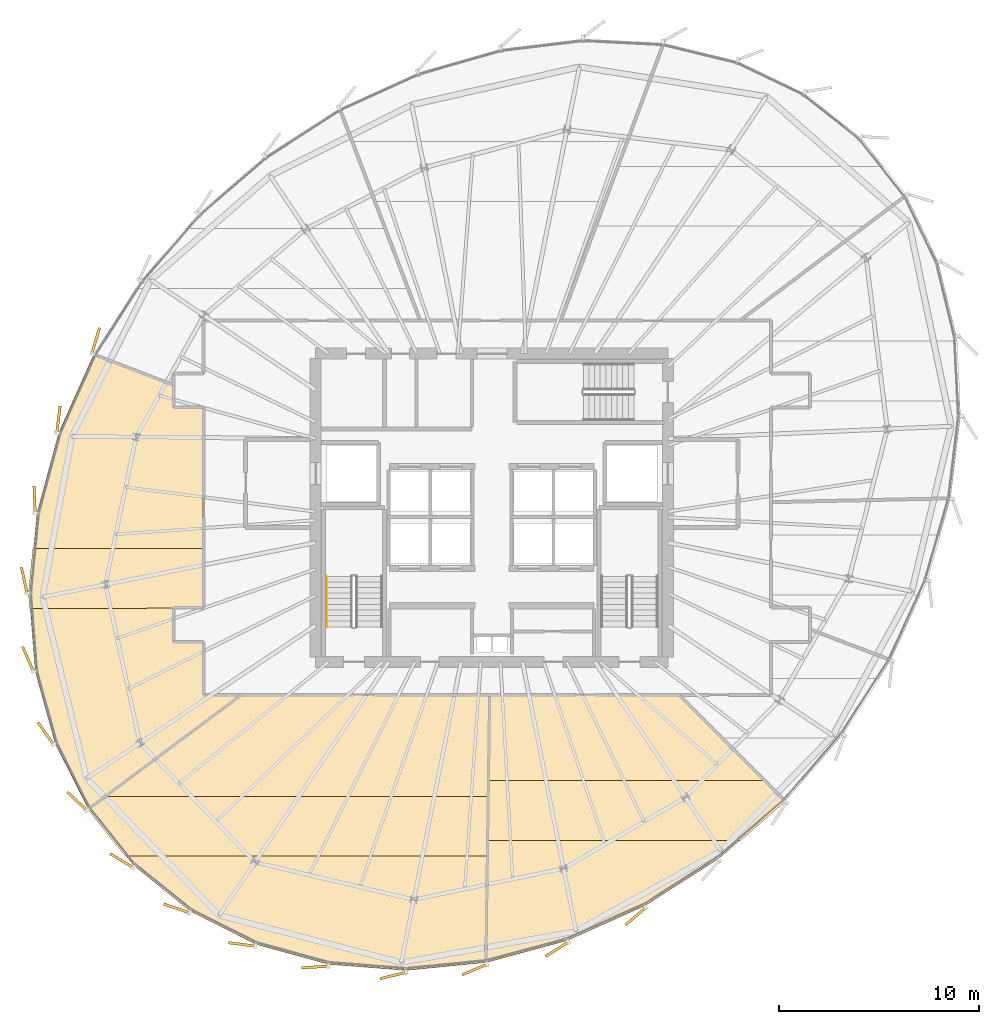
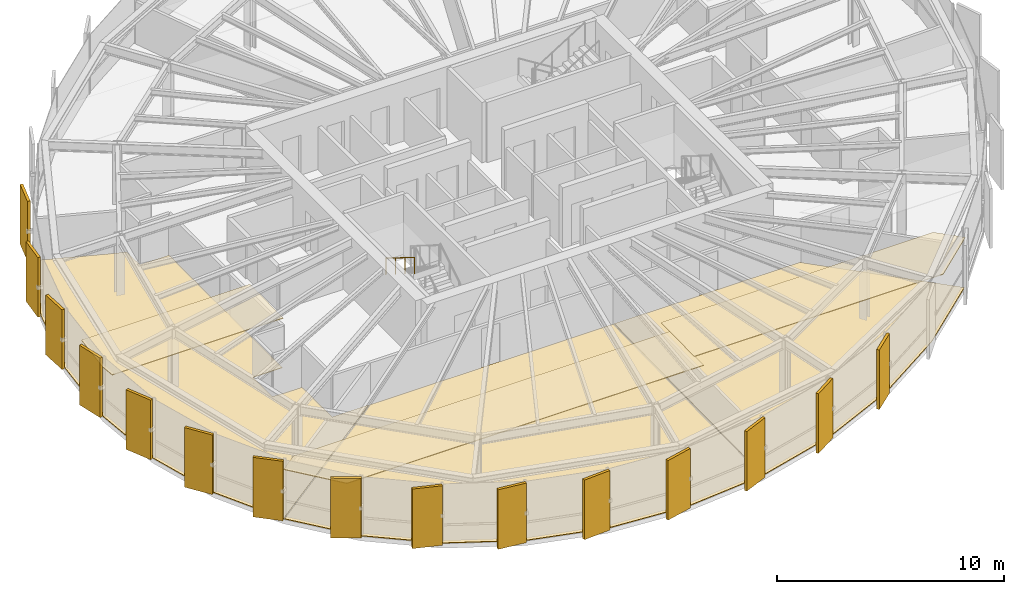
# One storey, part 32 of 34: 21 coverings, 1 railing.
"""IFC4 building model written with IfcOpenShell, lengths in metres."""

from ifc_helpers import new_model, si_unit, direction, frame, origin, origin_2d, place, context, subcontext, project, spatial, polyline, rectangle, circle, outline, extrude, source, transform, mapped, material, layer, layer_set, type_object, element, save


model = new_model("IFC4")

# Units and contexts
model_context = context("Model", 3, precision=1e-05, world=origin(), true_north=direction((0.0, 1.0)))
body_context = subcontext(model_context, "Body", "Model", "MODEL_VIEW")
ifc_project = project(units=[si_unit("LENGTHUNIT", "METRE"), si_unit("AREAUNIT", "SQUARE_METRE"), si_unit("VOLUMEUNIT", "CUBIC_METRE"), si_unit("PLANEANGLEUNIT", "RADIAN"), si_unit("MASSUNIT", "GRAM", prefix="KILO"), si_unit("THERMODYNAMICTEMPERATUREUNIT", "KELVIN")], contexts=[model_context])

# Site, building, storey
site_placement = place(None, origin())
site = spatial("IfcSite", under=ifc_project, at=site_placement, CompositionType="ELEMENT")
building_placement = place(site_placement, origin())
building = spatial("IfcBuilding", under=site, at=building_placement, Name="Kethvar Cultural Tower", CompositionType="ELEMENT")
storey_placement = place(building_placement, frame((0.0, 0.0, 214.89990234375)))
storey = spatial("IfcBuildingStorey", under=building, at=storey_placement, Name="L56", CompositionType="ELEMENT", Elevation=214.89990234375)

# Coverings
ifc_material_1 = material(Name="Acoustic Mineral Fibre Ceiling")
ifc_layer_1 = layer(ifc_material_1, 0.0400390625, Name="Acoustic Mineral Fibre Ceiling")
ifc_layer_set_1 = layer_set([ifc_layer_1], Name="Acoustic Mineral Fibre Ceiling (40 mm)")
covering_type_1 = type_object("IfcCoveringType", Name="CV-ACOUSTIC-CEIL", PredefinedType="CEILING", material=ifc_layer_set_1)
covering_1_placement = place(storey_placement, frame((0.0, 0.0, 2.670166015625)))
element("IfcCovering", 1, at=covering_1_placement, inside=storey, type_object=covering_type_1, Name="L56 Room 01 Acoustic Ceiling Panel", PredefinedType="CEILING", context=body_context, shape_type="SweptSolid", body=[
    extrude(outline(polyline([(26.614013671875, 12.7119140625), (27.4716796875, 13.37890625), (46.652099609375, 13.37890625), (46.6171875, 10.388916015625), (28.489013671875, 10.388916015625), (26.614013671875, 12.7119140625)])), origin(), (0.0, 0.0, 1.0), 0.0400390625),
])
covering_2_placement = place(storey_placement, frame((0.0, 0.0, 2.670166015625)))
element("IfcCovering", 2, at=covering_2_placement, inside=storey, type_object=covering_type_1, Name="L56 Room 02 Acoustic Ceiling Panel", PredefinedType="CEILING", context=body_context, shape_type="SweptSolid", body=[
    extrude(outline(polyline([(46.62109375, 14.167724609375), (60.46044921875, 14.167724609375), (61.489501953125, 13.128662109375), (59.24609375, 11.177734375), (46.58642578125, 11.177734375), (46.62109375, 14.167724609375)])), origin(), (0.0, 0.0, 1.0), 0.0400390625),
])
covering_3_placement = place(storey_placement, frame((0.0, 0.0, 2.670166015625)))
element("IfcCovering", 3, at=covering_3_placement, inside=storey, type_object=covering_type_1, Name="L56 Room 09 Acoustic Ceiling Panel", PredefinedType="CEILING", context=body_context, shape_type="SweptSolid", body=[
    extrude(outline(polyline([(23.642333984375, 23.519775390625), (23.863037109375, 25.75244140625), (32.419921875, 25.75244140625), (32.40576171875, 22.781005859375), (23.701904296875, 22.762451171875), (23.642333984375, 23.519775390625)])), origin(), (0.0, 0.0, 1.0), 0.0400390625),
])
ifc_material_2 = material(Name="Honed Warm Limestone", Category="masonry")
ifc_layer_2 = layer(ifc_material_2, 0.030029296875, Name="Honed Warm Limestone", Category="masonry")
ifc_layer_set_2 = layer_set([ifc_layer_2], Name="Honed Warm Limestone (30 mm)")
covering_type_2 = type_object("IfcCoveringType", Name="CV-STONE-FLOOR", PredefinedType="FLOORING", material=ifc_layer_set_2)
covering_4_placement = place(storey_placement, origin())
element("IfcCovering", 4, at=covering_4_placement, inside=storey, type_object=covering_type_2, Name="L56 Room 01 Floor Finish", PredefinedType="FLOORING", context=body_context, shape_type="SweptSolid", body=[
    extrude(outline(polyline([(42.52099609375, 4.682373046875), (38.64111328125, 4.987548828125), (35.0087890625, 5.985595703125), (31.7353515625, 7.646484375), (28.919189453125, 9.919189453125), (26.658203125, 12.720703125), (34.296875, 18.429931640625), (46.6708984375, 18.429931640625), (46.515380859375, 5.077880859375), (42.52099609375, 4.682373046875)])), origin(), (0.0, 0.0, 1.0), 0.030029296875),
])
covering_5_placement = place(storey_placement, origin())
element("IfcCovering", 5, at=covering_5_placement, inside=storey, type_object=covering_type_2, Name="L56 Room 02 Floor Finish", PredefinedType="FLOORING", context=body_context, shape_type="SweptSolid", body=[
    extrude(outline(polyline([(58.12744140625, 10.26171875), (54.455078125, 7.912109375), (50.55029296875, 6.1669921875), (46.555419921875, 5.0859375), (46.7109375, 18.429931640625), (56.1416015625, 18.429931640625), (61.4404296875, 13.13134765625), (58.12744140625, 10.26171875)])), origin(), (0.0, 0.0, 1.0), 0.030029296875),
])
covering_6_placement = place(storey_placement, origin())
element("IfcCovering", 6, at=covering_6_placement, inside=storey, type_object=covering_type_2, Name="L56 Room 09 Floor Finish", PredefinedType="FLOORING", context=body_context, shape_type="SweptSolid", body=[
    extrude(outline(polyline([(24.985595703125, 16.0087890625), (23.987548828125, 19.64111328125), (23.682373046875, 23.52099609375), (24.079345703125, 27.531494140625), (25.1669921875, 31.55029296875), (26.905029296875, 35.439208984375), (30.8798828125, 33.90869140625), (30.890625, 32.782470703125), (32.3798828125, 32.780029296875), (32.3798828125, 22.820068359375), (30.884521484375, 22.812744140625), (30.880126953125, 21.097900390625), (32.3798828125, 21.080078125), (32.38720703125, 18.4345703125), (34.22998046875, 18.429931640625), (26.63671875, 12.754638671875), (24.985595703125, 16.0087890625)])), origin(), (0.0, 0.0, 1.0), 0.030029296875),
])

# Railing
ifc_material_3 = material(Name="Steel S355J2", Category="steel")
railing_type = type_object("IfcRailingType", Name="RL-STAIR-HANDRAIL", PredefinedType="HANDRAIL", material=ifc_material_3)
railing_placement = place(storey_placement, frame((38.5400390625, 24.3701171875, 1.925048828125)))
element("IfcRailing", 7, at=railing_placement, inside=storey, type_object=railing_type, Name="L56 ST-01 stair handrail 2", PredefinedType="HANDRAIL", context=body_context, shape_type="SweptSolid", body=[
    extrude(circle(Radius=0.02392578125, at=origin_2d()), frame((0.0, 0.0, 0.8759765625), z_axis=(0.0, -0.848007534815, 0.529984170421), x_axis=(1.0, 0.0, 0.0)), (0.0, 0.0, 1.0), 2.9716796875),
    extrude(circle(Radius=0.02099609375, at=origin_2d()), origin(), (0.0, 0.0, 1.0), 0.851806640625),
    extrude(circle(Radius=0.02099609375, at=origin_2d()), frame((0.0, -0.840087890625, 0.52490234375)), (0.0, 0.0, 1.0), 0.851806640625),
    extrude(circle(Radius=0.02099609375, at=origin_2d()), frame((0.0, -1.679931640625, 1.050048828125)), (0.0, 0.0, 1.0), 0.851806640625),
    extrude(circle(Radius=0.02099609375, at=origin_2d()), frame((0.0, -2.52001953125, 1.574951171875)), (0.0, 0.0, 1.0), 0.851806640625),
])

# Coverings
ifc_material_4 = material(Name="Extruded Architectural Terracotta", Category="masonry")
ifc_layer_3 = layer(ifc_material_4, 0.135009765625, Name="Extruded Architectural Terracotta", Category="masonry")
ifc_layer_set_3 = layer_set([ifc_layer_3], Name="Extruded Architectural Terracotta (135 mm)")
covering_type_3 = type_object("IfcCoveringType", Name="Terracotta Facade Fin FIN-03", PredefinedType="CLADDING", material=ifc_layer_set_3)
shared_shape = source(origin(), body_context, "Body", "SweptSolid", [
    extrude(rectangle(XDim=1.35009765625, YDim=0.135009765625, at=origin_2d()), origin(), (0.0, 0.0, 1.0), 3.199951171875),
])
for number, where, z_axis, x_axis, name in (
    (8, (27.00830078125, 36.14599609375, 0.02001953125), (0.0, 0.0, 1.0), (0.276979261222, 0.960875896697, 0.0), "L56 Vertical Terracotta Fin 2.6"),
    (9, (25.144775390625, 32.2099609375, 0.02001953125), (0.0, 0.0, 1.0), (0.124294224947, 0.992245405958, 0.0), "L56 Vertical Terracotta Fin 3.1"),
    (10, (23.95263671875, 28.217529296875, 0.02001953125), (0.0, 0.0, 1.0), (-0.040829351979, 0.999166134343, 0.0), "L56 Vertical Terracotta Fin 3.2"),
    (11, (23.436279296875, 24.174072265625, 0.02001953125), (0.0, 0.0, 1.0), (-0.216439613938, 0.97629600712, 0.0), "L56 Vertical Terracotta Fin 3.3"),
    (12, (23.622802734375, 20.236083984375, 0.02001953125), (0.0, 0.0, 1.0), (-0.396667301018, 0.91796244602, 0.0), "L56 Vertical Terracotta Fin 3.4"),
    (13, (24.509521484375, 16.51904296875, 0.02001953125), (0.0, 0.0, 1.0), (-0.572145873446, 0.820151875874, 0.0), "L56 Vertical Terracotta Fin 3.5"),
    (14, (26.074462890625, 13.13525390625, 0.02001953125), (0.0, 0.0, 1.0), (-0.73028151927, 0.683146325917, 0.0), "L56 Vertical Terracotta Fin 3.6"),
    (15, (28.305908203125, 10.1650390625, 0.02001953125), (0.0, 0.0, 1.0), (-0.857975262798, 0.513691004814, 0.0), "L56 Vertical Terracotta Fin 4.1"),
    (16, (31.049560546875, 7.77685546875, 0.02001953125), (0.0, 0.0, 1.0), (-0.946085358828, 0.323917418198, 0.0), "L56 Vertical Terracotta Fin 4.2"),
    (17, (34.31103515625, 5.9765625, 0.02001953125), (0.0, 0.0, 1.0), (-0.991738463661, 0.12827634114, 0.0), "L56 Vertical Terracotta Fin 4.3"),
    (18, (37.95751953125, 4.8466796875, 0.02001953125), (0.0, 0.0, 1.0), (-0.998134798422, -0.061048539535, 0.0), "L56 Vertical Terracotta Fin 4.4"),
    (19, (41.873291015625, 4.423095703125, 0.02001953125), (0.0, 0.0, 1.0), (-0.971714227441, -0.236159819165, 0.0), "L56 Vertical Terracotta Fin 4.5"),
    (20, (45.935302734375, 4.71728515625, 0.02001953125), (0.0, 0.0, 1.0), (-0.919547370211, -0.392979177488, 0.0), "L56 Vertical Terracotta Fin 4.6"),
    (21, (50.05322265625, 5.732421875, 0.02001953125), (0.0, 0.0, 1.0), (-0.847307362866, -0.531102845816, 0.0), "L56 Vertical Terracotta Fin 5.1"),
    (22, (53.995361328125, 7.3876953125, 0.02001953125), (0.0, 0.0, 1.0), (-0.759157714243, -0.650906725196, 0.0), "L56 Vertical Terracotta Fin 5.2"),
):
    element("IfcCovering", number, at=place(storey_placement, frame(where, z_axis=z_axis, x_axis=x_axis)), inside=storey, type_object=covering_type_3, Name=name, PredefinedType="CLADDING", context=body_context, shape_type="MappedRepresentation", body=[
        mapped(shared_shape, transform((0.0, 0.0, 0.0), scale=1.0)),
    ])

save(model, "model.ifc")
